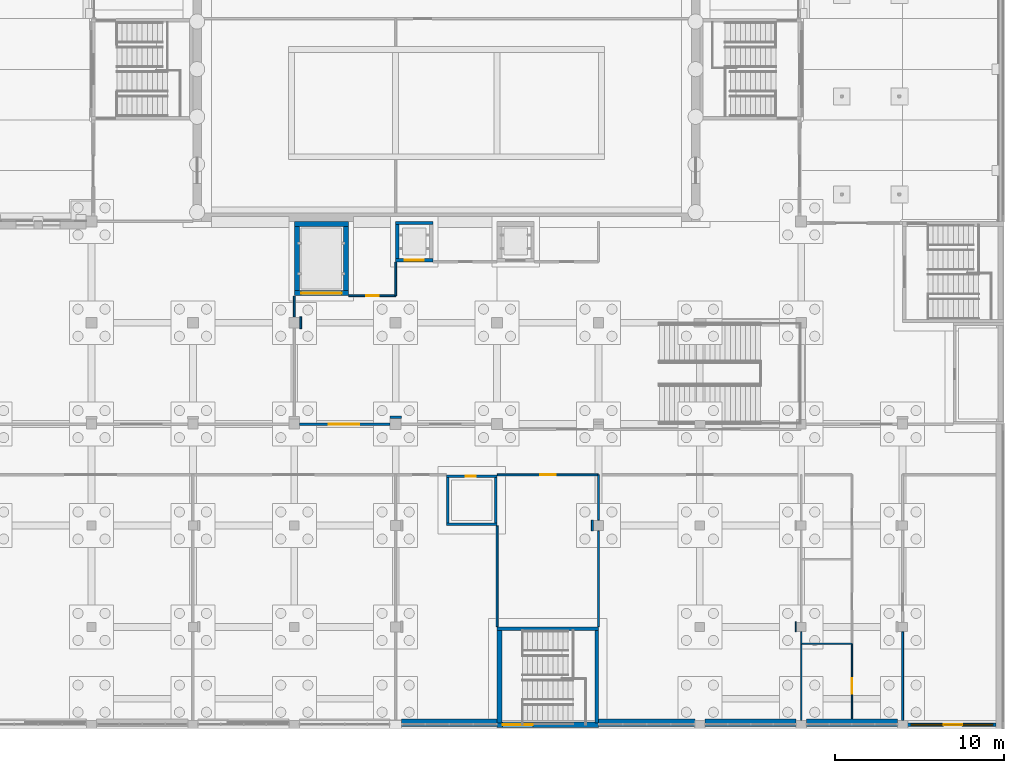
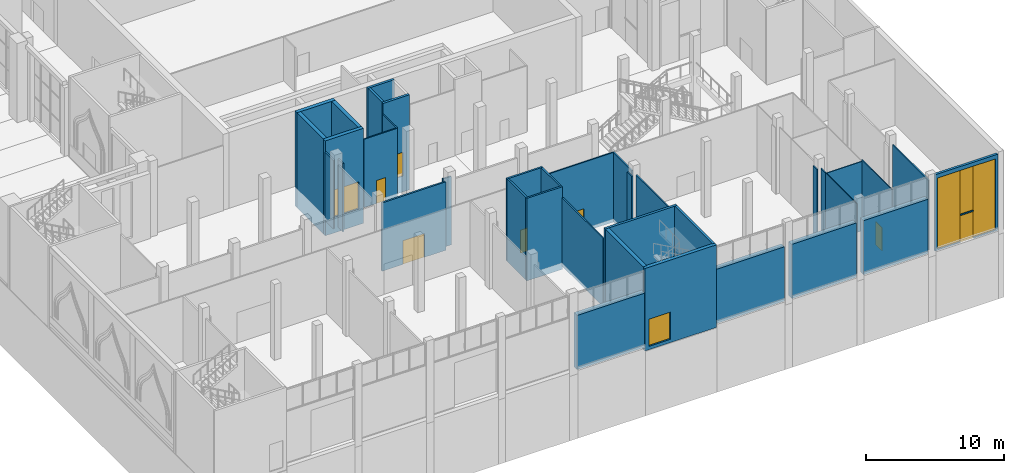
# One storey, part 41 of 95: 37 walls, 9 doors, 3 windows, 12 openings.
"""IFC4 building model written with IfcOpenShell, lengths in metres."""

from ifc_helpers import new_model, si_unit, direction, frame, frame_2d, origin, place, context, subcontext, project, spatial, rectangle, extrude, material, layer, layer_set, type_object, element, fill, save


model = new_model("IFC4")

# Units and contexts
model_context = context("Model", 3, precision=1e-05, world=origin(), true_north=direction((0.0, 1.0)))
body_context = subcontext(model_context, "Body", "Model", "MODEL_VIEW")
ifc_project = project(units=[si_unit("LENGTHUNIT", "METRE"), si_unit("AREAUNIT", "SQUARE_METRE"), si_unit("VOLUMEUNIT", "CUBIC_METRE"), si_unit("PLANEANGLEUNIT", "RADIAN"), si_unit("MASSUNIT", "GRAM", prefix="KILO")], contexts=[model_context])

# Site, building, storey
site_placement = place(None, origin())
site = spatial("IfcSite", under=ifc_project, at=site_placement, CompositionType="ELEMENT")
building_placement = place(site_placement, origin())
building = spatial("IfcBuilding", under=site, at=building_placement, Name="Saffron Lane Theatres", CompositionType="ELEMENT")
storey_placement = place(building_placement, origin())
storey = spatial("IfcBuildingStorey", under=building, at=storey_placement, Name="L00", CompositionType="ELEMENT", Elevation=0.0)

# Wall, openings, door, windows
ifc_material_1 = material(Name="Aluminium", Category="aluminium")
ifc_layer_1 = layer(ifc_material_1, 0.199951171875)
ifc_layer_set_1 = layer_set([ifc_layer_1], Name="Aluminium")
wall_type_1 = type_object("IfcWallType", Name="EX-SCREEN ALUMINIUM 200", PredefinedType="SOLIDWALL", material=ifc_layer_set_1)
wall_1_placement = place(storey_placement, frame((65.5400390625, 0.199951171875, 0.0), z_axis=(0.0, 0.0, 1.0), x_axis=(-1.0, 0.0, 0.0)))
wall_1 = element("IfcWall", 1, at=wall_1_placement, inside=storey, type_object=wall_type_1, Name="External wall L00 18", PredefinedType="SOLIDWALL", context=body_context, shape_type="SweptSolid", body=[
    extrude(rectangle(XDim=5.239990234375, YDim=0.199951171875, at=frame_2d((2.6201171875, 0.0))), origin(), (0.0, 0.0, 1.0), 6.75),
])
opening_1_placement = place(wall_1_placement, frame((2.02001953125, 0.0, 0.0)))
opening_1 = element("IfcOpeningElement", 2, at=opening_1_placement, cuts=wall_1, Name="Opening ED00-09", PredefinedType="OPENING", context=body_context, shape_type="SweptSolid", body=[
    extrude(rectangle(XDim=1.10009765625, YDim=2.39990234375, at=frame_2d((0.550048828125, 1.199951171875))), frame((0.0, 0.10986328125, 0.0), z_axis=(0.0, -1.0, 0.0), x_axis=(1.0, 0.0, 0.0)), (0.0, 0.0, 1.0), 0.219970703125),
])
opening_2_placement = place(wall_1_placement, frame((2.02001953125, 0.0, 2.5)))
opening_2 = element("IfcOpeningElement", 3, at=opening_2_placement, cuts=wall_1, Name="Opening WN00-025", PredefinedType="OPENING", context=body_context, shape_type="SweptSolid", body=[
    extrude(rectangle(XDim=1.10009765625, YDim=3.89990234375, at=frame_2d((0.550048828125, 1.949951171875))), frame((0.0, 0.10986328125, 0.0), z_axis=(0.0, -1.0, 0.0), x_axis=(1.0, 0.0, 0.0)), (0.0, 0.0, 1.0), 0.219970703125),
])
opening_3_placement = place(wall_1_placement, frame((0.199951171875, 0.0, 0.10009765625)))
opening_3 = element("IfcOpeningElement", 4, at=opening_3_placement, cuts=wall_1, Name="Opening WN00-026", PredefinedType="OPENING", context=body_context, shape_type="SweptSolid", body=[
    extrude(rectangle(XDim=1.820068359375, YDim=6.300048828125, at=frame_2d((0.91015625, 3.14990234375))), frame((0.0, 0.10986328125, 0.0), z_axis=(0.0, -1.0, 0.0), x_axis=(1.0, 0.0, 0.0)), (0.0, 0.0, 1.0), 0.219970703125),
])
opening_4_placement = place(wall_1_placement, frame((3.1201171875, 0.0, 0.10009765625)))
opening_4 = element("IfcOpeningElement", 5, at=opening_4_placement, cuts=wall_1, Name="Opening WN00-027", PredefinedType="OPENING", context=body_context, shape_type="SweptSolid", body=[
    extrude(rectangle(XDim=1.919921875, YDim=6.300048828125, at=frame_2d((0.9599609375, 3.14990234375))), frame((0.0, 0.10986328125, 0.0), z_axis=(0.0, -1.0, 0.0), x_axis=(1.0, 0.0, 0.0)), (0.0, 0.0, 1.0), 0.219970703125),
])
ifc_material_2 = material(Name="Aluminium and glass door leaf", Category="aluminium")
door_type_1 = type_object("IfcDoorType", Name="EX-DOOR 1100x2400", OperationType="NOTDEFINED", PredefinedType="DOOR", material=ifc_material_2)
door_1_placement = place(opening_1_placement, origin())
door_1 = element("IfcDoor", 6, at=door_1_placement, inside=storey, type_object=door_type_1, Name="Bicycle Store door", OperationType="SINGLE_SWING_RIGHT", OverallHeight=2.39990234375, OverallWidth=1.10009765625, PredefinedType="DOOR", context=body_context, shape_type="SweptSolid", body=[
    extrude(rectangle(XDim=1.10009765625, YDim=2.39990234375, at=frame_2d((0.550048828125, 1.199951171875))), frame((0.0, 0.02490234375, 0.0), z_axis=(0.0, -1.0, 0.0), x_axis=(1.0, 0.0, 0.0)), (0.0, 0.0, 1.0), 0.050048828125),
])
fill(opening_1, door_1)
ifc_material_3 = material(Name="Aluminium", Category="aluminium")
window_type_1 = type_object("IfcWindowType", Name="EX-WINDOW 1100x3900", PartitioningType="SINGLE_PANEL", PredefinedType="WINDOW", material=ifc_material_3)
window_1_placement = place(opening_2_placement, origin())
window_1 = element("IfcWindow", 7, at=window_1_placement, inside=storey, type_object=window_type_1, Name="Window L00 025", OverallHeight=3.89990234375, OverallWidth=1.10009765625, PartitioningType="SINGLE_PANEL", PredefinedType="WINDOW", context=body_context, shape_type="SweptSolid", body=[
    extrude(rectangle(XDim=1.10009765625, YDim=3.89990234375, at=frame_2d((0.550048828125, 1.949951171875))), frame((0.0, 0.030029296875, 0.0), z_axis=(0.0, -1.0, 0.0), x_axis=(1.0, 0.0, 0.0)), (0.0, 0.0, 1.0), 0.06005859375),
])
fill(opening_2, window_1)
ifc_material_4 = material(Name="Aluminium", Category="aluminium")
window_type_2 = type_object("IfcWindowType", Name="EX-WINDOW 1820x6300", PartitioningType="SINGLE_PANEL", PredefinedType="WINDOW", material=ifc_material_4)
window_2_placement = place(opening_3_placement, origin())
window_2 = element("IfcWindow", 8, at=window_2_placement, inside=storey, type_object=window_type_2, Name="Window L00 026", OverallHeight=6.300048828125, OverallWidth=1.820068359375, PartitioningType="SINGLE_PANEL", PredefinedType="WINDOW", context=body_context, shape_type="SweptSolid", body=[
    extrude(rectangle(XDim=1.820068359375, YDim=6.300048828125, at=frame_2d((0.91015625, 3.14990234375))), frame((0.0, 0.030029296875, 0.0), z_axis=(0.0, -1.0, 0.0), x_axis=(1.0, 0.0, 0.0)), (0.0, 0.0, 1.0), 0.06005859375),
])
fill(opening_3, window_2)
ifc_material_5 = material(Name="Aluminium", Category="aluminium")
window_type_3 = type_object("IfcWindowType", Name="EX-WINDOW 1920x6300", PartitioningType="SINGLE_PANEL", PredefinedType="WINDOW", material=ifc_material_5)
window_3_placement = place(opening_4_placement, origin())
window_3 = element("IfcWindow", 9, at=window_3_placement, inside=storey, type_object=window_type_3, Name="Window L00 027", OverallHeight=6.300048828125, OverallWidth=1.919921875, PartitioningType="SINGLE_PANEL", PredefinedType="WINDOW", context=body_context, shape_type="SweptSolid", body=[
    extrude(rectangle(XDim=1.919921875, YDim=6.300048828125, at=frame_2d((0.9599609375, 3.14990234375))), frame((0.0, 0.030029296875, 0.0), z_axis=(0.0, -1.0, 0.0), x_axis=(1.0, 0.0, 0.0)), (0.0, 0.0, 1.0), 0.06005859375),
])
fill(opening_4, window_3)

# Walls
ifc_material_6 = material(Name="Masonry pale clay brick", Category="masonry")
ifc_layer_2 = layer(ifc_material_6, 0.449951171875)
ifc_layer_set_2 = layer_set([ifc_layer_2], Name="Masonry pale clay brick")
wall_type_2 = type_object("IfcWallType", Name="EX-WALL BRICK 450", PredefinedType="SOLIDWALL", material=ifc_layer_set_2)
for number, where, z_axis, x_axis, name in (
    (10, (59.699951171875, 0.324951171875, 0.0), (0.0, 0.0, 1.0), (-1.0, 0.0, 0.0), "External wall L00 19"),
    (11, (53.699951171875, 0.324951171875, 0.0), (0.0, 0.0, 1.0), (-1.0, 0.0, 0.0), "External wall L00 20"),
):
    element("IfcWall", number, at=place(storey_placement, frame(where, z_axis=z_axis, x_axis=x_axis)), inside=storey, type_object=wall_type_2, Name=name, PredefinedType="SOLIDWALL", context=body_context, shape_type="SweptSolid", body=[
        extrude(rectangle(XDim=5.39990234375, YDim=0.449951171875, at=frame_2d((2.699951171875, 0.0))), origin(), (0.0, 0.0, 1.0), 4.800048828125),
    ])
wall_2_placement = place(storey_placement, frame((47.699951171875, 0.324951171875, 0.0), z_axis=(0.0, 0.0, 1.0), x_axis=(-1.0, 0.0, 0.0)))
element("IfcWall", 12, at=wall_2_placement, inside=storey, type_object=wall_type_2, Name="External wall L00 21", PredefinedType="SOLIDWALL", context=body_context, shape_type="SweptSolid", body=[
    extrude(rectangle(XDim=5.699951171875, YDim=0.449951171875, at=frame_2d((2.85009765625, 0.0))), origin(), (0.0, 0.0, 1.0), 4.800048828125),
])
wall_3_placement = place(storey_placement, frame((36.0, 0.324951171875, 0.0), z_axis=(0.0, 0.0, 1.0), x_axis=(-1.0, 0.0, 0.0)))
element("IfcWall", 13, at=wall_3_placement, inside=storey, type_object=wall_type_2, Name="External wall L00 22", PredefinedType="SOLIDWALL", context=body_context, shape_type="SweptSolid", body=[
    extrude(rectangle(XDim=5.64990234375, YDim=0.449951171875, at=frame_2d((2.824951171875, 0.0))), origin(), (0.0, 0.0, 1.0), 4.800048828125),
])
ifc_material_7 = material(Name="Masonry block partition", Category="masonry")
ifc_layer_3 = layer(ifc_material_7, 0.110107421875)
ifc_layer_set_3 = layer_set([ifc_layer_3], Name="Masonry block partition")
wall_type_3 = type_object("IfcWallType", Name="IN-BLOCK PARTITION 110", PredefinedType="PARTITIONING", material=ifc_layer_set_3)
wall_4_placement = place(storey_placement, frame((24.0, 24.344970703125, 0.0), z_axis=(0.0, 0.0, 1.0), x_axis=(0.0, 1.0, 0.0)))
element("IfcWall", 14, at=wall_4_placement, inside=storey, type_object=wall_type_3, Name="PW-L00-022", PredefinedType="PARTITIONING", context=body_context, shape_type="SweptSolid", body=[
    extrude(rectangle(XDim=1.235107421875, YDim=0.110107421875, at=frame_2d((0.61767578125, 0.0))), origin(), (0.0, 0.0, 1.0), 6.050048828125),
])
wall_5_placement = place(storey_placement, frame((24.385009765625, 23.655029296875, 0.0), z_axis=(0.0, 0.0, 1.0), x_axis=(0.0, 1.0, 0.0)))
element("IfcWall", 15, at=wall_5_placement, inside=storey, type_object=wall_type_3, Name="PW-L00-024", PredefinedType="PARTITIONING", context=body_context, shape_type="SweptSolid", body=[
    extrude(rectangle(XDim=0.68994140625, YDim=0.110107421875, at=frame_2d((0.344970703125, 0.0))), origin(), (0.0, 0.0, 1.0), 6.050048828125),
])

# Wall, opening, door
wall_6_placement = place(storey_placement, frame((27.219970703125, 25.60009765625, 0.0), z_axis=(0.0, 0.0, 1.0), x_axis=(1.0, 0.0, 0.0)))
wall_6 = element("IfcWall", 16, at=wall_6_placement, inside=storey, type_object=wall_type_3, Name="PW-L00-025", PredefinedType="PARTITIONING", context=body_context, shape_type="SweptSolid", body=[
    extrude(rectangle(XDim=2.780029296875, YDim=0.110107421875, at=frame_2d((1.39013671875, 0.0))), origin(), (0.0, 0.0, 1.0), 6.050048828125),
])
opening_5_placement = place(wall_6_placement, frame((1.030029296875, 0.0, 0.0)))
opening_5 = element("IfcOpeningElement", 17, at=opening_5_placement, cuts=wall_6, Name="Opening D00-52", PredefinedType="OPENING", context=body_context, shape_type="SweptSolid", body=[
    extrude(rectangle(XDim=0.75, YDim=2.0400390625, at=frame_2d((0.375, 1.02001953125))), frame((0.0, 0.06494140625, 0.0), z_axis=(0.0, -1.0, 0.0), x_axis=(1.0, 0.0, 0.0)), (0.0, 0.0, 1.0), 0.130126953125),
])
ifc_material_8 = material(Name="Steel faced fire door leaf", Category="steel")
door_type_2 = type_object("IfcDoorType", Name="IN-DOOR 750x2040 FD60", OperationType="NOTDEFINED", PredefinedType="DOOR", material=ifc_material_8)
door_2_placement = place(opening_5_placement, origin())
door_2 = element("IfcDoor", 18, at=door_2_placement, inside=storey, type_object=door_type_2, Name="D00-52", OperationType="SINGLE_SWING_RIGHT", OverallHeight=2.0400390625, OverallWidth=0.75, PredefinedType="DOOR", context=body_context, shape_type="SweptSolid", body=[
    extrude(rectangle(XDim=0.75, YDim=2.0400390625, at=frame_2d((0.375, 1.02001953125))), frame((0.0, 0.02490234375, 0.0), z_axis=(0.0, -1.0, 0.0), x_axis=(1.0, 0.0, 0.0)), (0.0, 0.0, 1.0), 0.050048828125),
])
fill(opening_5, door_2)

# Walls
wall_7_placement = place(storey_placement, frame((30.0, 25.60009765625, 0.0), z_axis=(0.0, 0.0, 1.0), x_axis=(0.0, 1.0, 0.0)))
element("IfcWall", 19, at=wall_7_placement, inside=storey, type_object=wall_type_3, Name="PW-L00-026", PredefinedType="PARTITIONING", context=body_context, shape_type="SweptSolid", body=[
    extrude(rectangle(XDim=1.97998046875, YDim=0.110107421875, at=frame_2d((0.989990234375, 0.0))), origin(), (0.0, 0.0, 1.0), 6.050048828125),
])
wall_8_placement = place(storey_placement, frame((36.0, 6.02001953125, 0.0), z_axis=(0.0, 0.0, 1.0), x_axis=(0.0, 1.0, 0.0)))
element("IfcWall", 20, at=wall_8_placement, inside=storey, type_object=wall_type_3, Name="PW-L00-034", PredefinedType="PARTITIONING", context=body_context, shape_type="SweptSolid", body=[
    extrude(rectangle(XDim=5.9599609375, YDim=0.110107421875, at=frame_2d((2.97998046875, 0.0))), origin(), (0.0, 0.0, 1.0), 6.050048828125),
])

# Wall, opening, door
wall_9_placement = place(storey_placement, frame((36.02001953125, 15.0, 0.0), z_axis=(0.0, 0.0, 1.0), x_axis=(1.0, 0.0, 0.0)))
wall_9 = element("IfcWall", 21, at=wall_9_placement, inside=storey, type_object=wall_type_3, Name="PW-L00-035", PredefinedType="PARTITIONING", context=body_context, shape_type="SweptSolid", body=[
    extrude(rectangle(XDim=5.97998046875, YDim=0.110107421875, at=frame_2d((2.989990234375, 0.0))), origin(), (0.0, 0.0, 1.0), 6.14990234375),
])
opening_6_placement = place(wall_9_placement, frame((2.530029296875, 0.0, 0.0)))
opening_6 = element("IfcOpeningElement", 22, at=opening_6_placement, cuts=wall_9, Name="Opening D00-25", PredefinedType="OPENING", context=body_context, shape_type="SweptSolid", body=[
    extrude(rectangle(XDim=0.919921875, YDim=2.0400390625, at=frame_2d((0.4599609375, 1.02001953125))), frame((0.0, 0.06494140625, 0.0), z_axis=(0.0, -1.0, 0.0), x_axis=(1.0, 0.0, 0.0)), (0.0, 0.0, 1.0), 0.130126953125),
])
ifc_material_9 = material(Name="Steel faced fire door leaf", Category="steel")
door_type_3 = type_object("IfcDoorType", Name="IN-DOOR 920x2040 FD60", OperationType="NOTDEFINED", PredefinedType="DOOR", material=ifc_material_9)
door_3_placement = place(opening_6_placement, frame((0.919921875, 0.0, 0.0), z_axis=(0.0, 0.0, 1.0), x_axis=(-1.0, 0.0, 0.0)))
door_3 = element("IfcDoor", 23, at=door_3_placement, inside=storey, type_object=door_type_3, Name="D00-25", OperationType="SINGLE_SWING_LEFT", OverallHeight=2.0400390625, OverallWidth=0.919921875, PredefinedType="DOOR", context=body_context, shape_type="SweptSolid", body=[
    extrude(rectangle(XDim=0.919921875, YDim=2.0400390625, at=frame_2d((0.4599609375, 1.02001953125))), frame((0.0, 0.02490234375, 0.0), z_axis=(0.0, -1.0, 0.0), x_axis=(1.0, 0.0, 0.0)), (0.0, 0.0, 1.0), 0.050048828125),
])
fill(opening_6, door_3)

# Walls
wall_10_placement = place(storey_placement, frame((42.0, 12.320068359375, 0.0), z_axis=(0.0, 0.0, 1.0), x_axis=(0.0, 1.0, 0.0)))
element("IfcWall", 24, at=wall_10_placement, inside=storey, type_object=wall_type_3, Name="PW-L00-038", PredefinedType="PARTITIONING", context=body_context, shape_type="SweptSolid", body=[
    extrude(rectangle(XDim=2.679931640625, YDim=0.110107421875, at=frame_2d((1.33984375, 0.0))), origin(), (0.0, 0.0, 1.0), 6.14990234375),
])
wall_11_placement = place(storey_placement, frame((42.0, 6.02001953125, 0.0), z_axis=(0.0, 0.0, 1.0), x_axis=(0.0, 1.0, 0.0)))
element("IfcWall", 25, at=wall_11_placement, inside=storey, type_object=wall_type_3, Name="PW-L00-039", PredefinedType="PARTITIONING", context=body_context, shape_type="SweptSolid", body=[
    extrude(rectangle(XDim=5.659912109375, YDim=0.110107421875, at=frame_2d((2.830078125, 0.0))), origin(), (0.0, 0.0, 1.0), 6.14990234375),
])
wall_12_placement = place(storey_placement, frame((41.639892578125, 11.679931640625, 0.0), z_axis=(0.0, 0.0, 1.0), x_axis=(0.0, 1.0, 0.0)))
element("IfcWall", 26, at=wall_12_placement, inside=storey, type_object=wall_type_3, Name="PW-L00-040", PredefinedType="PARTITIONING", context=body_context, shape_type="SweptSolid", body=[
    extrude(rectangle(XDim=0.64013671875, YDim=0.110107421875, at=frame_2d((0.320068359375, 0.0))), origin(), (0.0, 0.0, 1.0), 6.14990234375),
])
wall_13_placement = place(storey_placement, frame((60.0, 0.470458984375, 0.0), z_axis=(0.0, 0.0, 1.0), x_axis=(0.0, 1.0, 0.0)))
element("IfcWall", 27, at=wall_13_placement, inside=storey, type_object=wall_type_3, Name="PW-L00-050", PredefinedType="PARTITIONING", context=body_context, shape_type="SweptSolid", body=[
    extrude(rectangle(XDim=5.234619140625, YDim=0.110107421875, at=frame_2d((2.6171875, 0.0))), origin(), (0.0, 0.0, 1.0), 6.14990234375),
])

# Wall, opening, door
ifc_material_10 = material(Name="Masonry block partition", Category="masonry")
ifc_layer_4 = layer(ifc_material_10, 0.139892578125)
ifc_layer_set_4 = layer_set([ifc_layer_4], Name="Masonry block partition")
wall_type_4 = type_object("IfcWallType", Name="IN-BLOCK PARTITION 140", PredefinedType="PARTITIONING", material=ifc_layer_set_4)
wall_14_placement = place(storey_placement, frame((24.320068359375, 18.0, 0.0), z_axis=(0.0, 0.0, 1.0), x_axis=(1.0, 0.0, 0.0)))
wall_14 = element("IfcWall", 28, at=wall_14_placement, inside=storey, type_object=wall_type_4, Name="PW-L00-077", PredefinedType="PARTITIONING", context=body_context, shape_type="SweptSolid", body=[
    extrude(rectangle(XDim=5.3349609375, YDim=0.139892578125, at=frame_2d((2.66748046875, 0.0))), origin(), (0.0, 0.0, 1.0), 6.050048828125),
])
opening_7_placement = place(wall_14_placement, frame((1.72998046875, 0.0, 0.0)))
opening_7 = element("IfcOpeningElement", 29, at=opening_7_placement, cuts=wall_14, Name="Opening D00-60", PredefinedType="OPENING", context=body_context, shape_type="SweptSolid", body=[
    extrude(rectangle(XDim=1.800048828125, YDim=2.10009765625, at=frame_2d((0.89990234375, 1.050048828125))), frame((0.0, 0.080078125, 0.0), z_axis=(0.0, -1.0, 0.0), x_axis=(1.0, 0.0, 0.0)), (0.0, 0.0, 1.0), 0.159912109375),
])
ifc_material_11 = material(Name="Steel faced fire door leaf", Category="steel")
door_type_4 = type_object("IfcDoorType", Name="IN-DOOR 1800x2100 FD120", OperationType="DOUBLE_DOOR_SINGLE_SWING", PredefinedType="DOOR", material=ifc_material_11)
door_4_placement = place(opening_7_placement, origin())
door_4 = element("IfcDoor", 30, at=door_4_placement, inside=storey, type_object=door_type_4, Name="D00-60", OperationType="DOUBLE_DOOR_SINGLE_SWING", OverallHeight=2.10009765625, OverallWidth=1.800048828125, PredefinedType="DOOR", context=body_context, shape_type="SweptSolid", body=[
    extrude(rectangle(XDim=1.800048828125, YDim=2.10009765625, at=frame_2d((0.89990234375, 1.050048828125))), frame((0.0, 0.02490234375, 0.0), z_axis=(0.0, -1.0, 0.0), x_axis=(1.0, 0.0, 0.0)), (0.0, 0.0, 1.0), 0.050048828125),
])
fill(opening_7, door_4)

# Walls
wall_15_placement = place(storey_placement, frame((29.655029296875, 18.39990234375, 0.0), z_axis=(0.0, 0.0, 1.0), x_axis=(1.0, 0.0, 0.0)))
element("IfcWall", 31, at=wall_15_placement, inside=storey, type_object=wall_type_4, Name="PW-L00-083", PredefinedType="PARTITIONING", context=body_context, shape_type="SweptSolid", body=[
    extrude(rectangle(XDim=0.68994140625, YDim=0.139892578125, at=frame_2d((0.344970703125, 0.0))), origin(), (0.0, 0.0, 1.0), 6.050048828125),
])
ifc_material_12 = material(Name="Plasterboard on 70 mm steel studs", Category="steel")
ifc_layer_5 = layer(ifc_material_12, 0.070068359375)
ifc_layer_set_5 = layer_set([ifc_layer_5], Name="Plasterboard on 70 mm steel studs")
wall_type_5 = type_object("IfcWallType", Name="IN-STUD PARTITION 070", PredefinedType="PARTITIONING", material=ifc_layer_set_5)
wall_16_placement = place(storey_placement, frame((54.0, 0.470458984375, 0.0), z_axis=(0.0, 0.0, 1.0), x_axis=(0.0, 1.0, 0.0)))
element("IfcWall", 32, at=wall_16_placement, inside=storey, type_object=wall_type_5, Name="PW-L00-090", PredefinedType="PARTITIONING", context=body_context, shape_type="SweptSolid", body=[
    extrude(rectangle(XDim=4.529541015625, YDim=0.070068359375, at=frame_2d((2.2646484375, 0.0))), origin(), (0.0, 0.0, 1.0), 6.14990234375),
])
wall_17_placement = place(storey_placement, frame((54.0, 5.0, 0.0), z_axis=(0.0, 0.0, 1.0), x_axis=(1.0, 0.0, 0.0)))
element("IfcWall", 33, at=wall_17_placement, inside=storey, type_object=wall_type_5, Name="PW-L00-091", PredefinedType="PARTITIONING", context=body_context, shape_type="SweptSolid", body=[
    extrude(rectangle(XDim=3.0, YDim=0.070068359375, at=frame_2d((1.5, 0.0))), origin(), (0.0, 0.0, 1.0), 6.14990234375),
])
wall_18_placement = place(storey_placement, frame((54.0, 5.0, 0.0), z_axis=(0.0, 0.0, 1.0), x_axis=(0.0, 1.0, 0.0)))
element("IfcWall", 34, at=wall_18_placement, inside=storey, type_object=wall_type_5, Name="PW-L00-093", PredefinedType="PARTITIONING", context=body_context, shape_type="SweptSolid", body=[
    extrude(rectangle(XDim=0.705078125, YDim=0.070068359375, at=frame_2d((0.3525390625, 0.0))), origin(), (0.0, 0.0, 1.0), 6.14990234375),
])
wall_19_placement = place(storey_placement, frame((53.68505859375, 5.705078125, 0.0), z_axis=(0.0, 0.0, 1.0), x_axis=(0.0, 1.0, 0.0)))
element("IfcWall", 35, at=wall_19_placement, inside=storey, type_object=wall_type_5, Name="PW-L00-094", PredefinedType="PARTITIONING", context=body_context, shape_type="SweptSolid", body=[
    extrude(rectangle(XDim=0.58984375, YDim=0.070068359375, at=frame_2d((0.294921875, 0.0))), origin(), (0.0, 0.0, 1.0), 6.14990234375),
])

# Wall, opening, door
wall_20_placement = place(storey_placement, frame((57.0, 0.570068359375, 0.0), z_axis=(0.0, 0.0, 1.0), x_axis=(0.0, 1.0, 0.0)))
wall_20 = element("IfcWall", 36, at=wall_20_placement, inside=storey, type_object=wall_type_5, Name="PW-L00-099", PredefinedType="PARTITIONING", context=body_context, shape_type="SweptSolid", body=[
    extrude(rectangle(XDim=4.429931640625, YDim=0.070068359375, at=frame_2d((2.21484375, 0.0))), origin(), (0.0, 0.0, 1.0), 6.300048828125),
])
opening_8_placement = place(wall_20_placement, frame((1.47998046875, 0.0, 0.0)))
opening_8 = element("IfcOpeningElement", 37, at=opening_8_placement, cuts=wall_20, Name="Opening D00-27", PredefinedType="OPENING", context=body_context, shape_type="SweptSolid", body=[
    extrude(rectangle(XDim=0.919921875, YDim=2.0400390625, at=frame_2d((0.4599609375, 1.02001953125))), frame((0.0, 0.044921875, 0.0), z_axis=(0.0, -1.0, 0.0), x_axis=(1.0, 0.0, 0.0)), (0.0, 0.0, 1.0), 0.090087890625),
])
ifc_material_13 = material(Name="Timber door leaf", Category="wood")
door_type_5 = type_object("IfcDoorType", Name="IN-DOOR 920x2040", OperationType="NOTDEFINED", PredefinedType="DOOR", material=ifc_material_13)
door_5_placement = place(opening_8_placement, origin())
door_5 = element("IfcDoor", 38, at=door_5_placement, inside=storey, type_object=door_type_5, Name="D00-27", OperationType="SINGLE_SWING_RIGHT", OverallHeight=2.0400390625, OverallWidth=0.919921875, PredefinedType="DOOR", context=body_context, shape_type="SweptSolid", body=[
    extrude(rectangle(XDim=0.919921875, YDim=2.0400390625, at=frame_2d((0.4599609375, 1.02001953125))), frame((0.0, 0.02490234375, 0.0), z_axis=(0.0, -1.0, 0.0), x_axis=(1.0, 0.0, 0.0)), (0.0, 0.0, 1.0), 0.050048828125),
])
fill(opening_8, door_5)

ifc_material_14 = material(Name="Concrete N50 (50 MPa)", Category="concrete")
ifc_layer_6 = layer(ifc_material_14, 0.14990234375)
ifc_layer_set_6 = layer_set([ifc_layer_6], Name="Concrete N50 (50 MPa)")
wall_type_6 = type_object("IfcWallType", Name="RC-CORE 150", PredefinedType="SHEAR", material=ifc_layer_set_6)
wall_21_placement = place(storey_placement, frame((33.0, 14.925048828125, -0.300048828125), z_axis=(0.0, 0.0, 1.0), x_axis=(1.0, 0.0, 0.0)))
wall_21 = element("IfcWall", 39, at=wall_21_placement, inside=storey, type_object=wall_type_6, Name="W-R5-N-L00", PredefinedType="SHEAR", context=body_context, shape_type="SweptSolid", body=[
    extrude(rectangle(XDim=3.0, YDim=0.14990234375, at=frame_2d((1.5, 0.0))), origin(), (0.0, 0.0, 1.0), 7.300048828125),
])
opening_9_placement = place(wall_21_placement, frame((1.14990234375, 0.0, 0.300048828125)))
opening_9 = element("IfcOpeningElement", 40, at=opening_9_placement, cuts=wall_21, Name="Opening D00-55", PredefinedType="OPENING", context=body_context, shape_type="SweptSolid", body=[
    extrude(rectangle(XDim=0.60009765625, YDim=2.0400390625, at=frame_2d((0.300048828125, 1.02001953125))), frame((0.0, 0.0849609375, 0.0), z_axis=(0.0, -1.0, 0.0), x_axis=(1.0, 0.0, 0.0)), (0.0, 0.0, 1.0), 0.169921875),
])
ifc_material_15 = material(Name="Steel faced fire door leaf", Category="steel")
door_type_6 = type_object("IfcDoorType", Name="IN-DOOR 600x2040 FD120", OperationType="NOTDEFINED", PredefinedType="DOOR", material=ifc_material_15)
door_6_placement = place(opening_9_placement, frame((0.60009765625, 0.0, 0.0), z_axis=(0.0, 0.0, 1.0), x_axis=(-1.0, 0.0, 0.0)))
door_6 = element("IfcDoor", 41, at=door_6_placement, inside=storey, type_object=door_type_6, Name="D00-55", OperationType="SINGLE_SWING_LEFT", OverallHeight=2.0400390625, OverallWidth=0.60009765625, PredefinedType="DOOR", context=body_context, shape_type="SweptSolid", body=[
    extrude(rectangle(XDim=0.60009765625, YDim=2.0400390625, at=frame_2d((0.300048828125, 1.02001953125))), frame((0.0, 0.02490234375, 0.0), z_axis=(0.0, -1.0, 0.0), x_axis=(1.0, 0.0, 0.0)), (0.0, 0.0, 1.0), 0.050048828125),
])
fill(opening_9, door_6)

# Walls
wall_22_placement = place(storey_placement, frame((33.0, 12.074951171875, -0.300048828125), z_axis=(0.0, 0.0, 1.0), x_axis=(1.0, 0.0, 0.0)))
element("IfcWall", 42, at=wall_22_placement, inside=storey, type_object=wall_type_6, Name="W-R5-S-L00", PredefinedType="SHEAR", context=body_context, shape_type="SweptSolid", body=[
    extrude(rectangle(XDim=3.0, YDim=0.14990234375, at=frame_2d((1.5, 0.0))), origin(), (0.0, 0.0, 1.0), 7.300048828125),
])
for number, where, z_axis, x_axis, name in (
    (43, (33.074951171875, 12.14990234375, -0.300048828125), (0.0, 0.0, 1.0), (0.0, 1.0, 0.0), "W-R5-W-L00"),
    (44, (35.925048828125, 12.14990234375, -0.300048828125), (0.0, 0.0, 1.0), (0.0, 1.0, 0.0), "W-R5-E-L00"),
):
    element("IfcWall", number, at=place(storey_placement, frame(where, z_axis=z_axis, x_axis=x_axis)), inside=storey, type_object=wall_type_6, Name=name, PredefinedType="SHEAR", context=body_context, shape_type="SweptSolid", body=[
        extrude(rectangle(XDim=2.7001953125, YDim=0.14990234375, at=frame_2d((1.35009765625, 0.0))), origin(), (0.0, 0.0, 1.0), 7.300048828125),
    ])
ifc_material_16 = material(Name="Concrete N50 (50 MPa)", Category="concrete")
ifc_layer_7 = layer(ifc_material_16, 0.199951171875)
ifc_layer_set_7 = layer_set([ifc_layer_7], Name="Concrete N50 (50 MPa)")
wall_type_7 = type_object("IfcWallType", Name="RC-CORE 200", PredefinedType="SHEAR", material=ifc_layer_set_7)
wall_23_placement = place(storey_placement, frame((36.0, 5.89990234375, -0.300048828125), z_axis=(0.0, 0.0, 1.0), x_axis=(1.0, 0.0, 0.0)))
element("IfcWall", 45, at=wall_23_placement, inside=storey, type_object=wall_type_7, Name="W-ST9-N-L00", PredefinedType="SHEAR", context=body_context, shape_type="SweptSolid", body=[
    extrude(rectangle(XDim=6.0, YDim=0.199951171875, at=frame_2d((3.0, 0.0))), origin(), (0.0, 0.0, 1.0), 7.300048828125),
])
wall_24_placement = place(storey_placement, frame((41.89990234375, 0.300048828125, -0.300048828125), z_axis=(0.0, 0.0, 1.0), x_axis=(0.0, 1.0, 0.0)))
element("IfcWall", 46, at=wall_24_placement, inside=storey, type_object=wall_type_7, Name="W-ST9-E-L00", PredefinedType="SHEAR", context=body_context, shape_type="SweptSolid", body=[
    extrude(rectangle(XDim=5.5, YDim=0.199951171875, at=frame_2d((2.75, 0.0))), origin(), (0.0, 0.0, 1.0), 7.300048828125),
])
wall_25_placement = place(storey_placement, frame((30.0, 29.89990234375, -1.39990234375), z_axis=(0.0, 0.0, 1.0), x_axis=(1.0, 0.0, 0.0)))
element("IfcWall", 47, at=wall_25_placement, inside=storey, type_object=wall_type_7, Name="W-LC5-N-L00", PredefinedType="SHEAR", context=body_context, shape_type="SweptSolid", body=[
    extrude(rectangle(XDim=2.199951171875, YDim=0.199951171875, at=frame_2d((1.10009765625, 0.0))), origin(), (0.0, 0.0, 1.0), 8.39990234375),
])

# Wall, opening, door
wall_26_placement = place(storey_placement, frame((30.0, 27.699951171875, -1.39990234375), z_axis=(0.0, 0.0, 1.0), x_axis=(1.0, 0.0, 0.0)))
wall_26 = element("IfcWall", 48, at=wall_26_placement, inside=storey, type_object=wall_type_7, Name="W-LC5-S-L00", PredefinedType="SHEAR", context=body_context, shape_type="SweptSolid", body=[
    extrude(rectangle(XDim=2.199951171875, YDim=0.199951171875, at=frame_2d((1.10009765625, 0.0))), origin(), (0.0, 0.0, 1.0), 8.39990234375),
])
opening_10_placement = place(wall_26_placement, frame((0.550048828125, 0.0, 1.39990234375)))
opening_10 = element("IfcOpeningElement", 49, at=opening_10_placement, cuts=wall_26, Name="Opening LD17", PredefinedType="OPENING", context=body_context, shape_type="SweptSolid", body=[
    extrude(rectangle(XDim=1.10009765625, YDim=2.10009765625, at=frame_2d((0.550048828125, 1.050048828125))), frame((0.0, 0.10986328125, 0.0), z_axis=(0.0, -1.0, 0.0), x_axis=(1.0, 0.0, 0.0)), (0.0, 0.0, 1.0), 0.219970703125),
])
ifc_material_17 = material(Name="Stainless steel 316", Category="steel")
door_type_7 = type_object("IfcDoorType", Name="VC-LANDING DOOR 1100x2100", OperationType="DOUBLE_DOOR_SLIDING", PredefinedType="DOOR", material=ifc_material_17)
door_7_placement = place(opening_10_placement, origin())
door_7 = element("IfcDoor", 50, at=door_7_placement, inside=storey, type_object=door_type_7, Name="Landing doors LC5 L00", OperationType="DOUBLE_DOOR_SLIDING", OverallHeight=2.10009765625, OverallWidth=1.10009765625, PredefinedType="DOOR", context=body_context, shape_type="SweptSolid", body=[
    extrude(rectangle(XDim=1.10009765625, YDim=2.10009765625, at=frame_2d((0.550048828125, 1.050048828125))), frame((0.0, 0.02490234375, 0.0), z_axis=(0.0, -1.0, 0.0), x_axis=(1.0, 0.0, 0.0)), (0.0, 0.0, 1.0), 0.050048828125),
])
fill(opening_10, door_7)

# Walls
wall_27_placement = place(storey_placement, frame((30.10009765625, 27.800048828125, -1.39990234375), z_axis=(0.0, 0.0, 1.0), x_axis=(0.0, 1.0, 0.0)))
element("IfcWall", 51, at=wall_27_placement, inside=storey, type_object=wall_type_7, Name="W-LC5-W-L00", PredefinedType="SHEAR", context=body_context, shape_type="SweptSolid", body=[
    extrude(rectangle(XDim=2.0, YDim=0.199951171875, at=frame_2d((1.0, 0.0))), origin(), (0.0, 0.0, 1.0), 8.39990234375),
])
ifc_material_18 = material(Name="Concrete N50 (50 MPa)", Category="concrete")
ifc_layer_8 = layer(ifc_material_18, 0.300048828125)
ifc_layer_set_8 = layer_set([ifc_layer_8], Name="Concrete N50 (50 MPa)")
wall_type_8 = type_object("IfcWallType", Name="RC-CORE 300", PredefinedType="SHEAR", material=ifc_layer_set_8)
wall_28_placement = place(storey_placement, frame((36.14990234375, 0.300048828125, -0.300048828125), z_axis=(0.0, 0.0, 1.0), x_axis=(0.0, 1.0, 0.0)))
element("IfcWall", 52, at=wall_28_placement, inside=storey, type_object=wall_type_8, Name="W-ST9-W-L00", PredefinedType="SHEAR", context=body_context, shape_type="SweptSolid", body=[
    extrude(rectangle(XDim=5.5, YDim=0.300048828125, at=frame_2d((2.75, 0.0))), origin(), (0.0, 0.0, 1.0), 7.300048828125),
])
wall_29_placement = place(storey_placement, frame((24.0, 29.85009765625, -1.39990234375), z_axis=(0.0, 0.0, 1.0), x_axis=(1.0, 0.0, 0.0)))
element("IfcWall", 53, at=wall_29_placement, inside=storey, type_object=wall_type_8, Name="W-LG1-N-L00", PredefinedType="SHEAR", context=body_context, shape_type="SweptSolid", body=[
    extrude(rectangle(XDim=3.199951171875, YDim=0.300048828125, at=frame_2d((1.60009765625, 0.0))), origin(), (0.0, 0.0, 1.0), 8.39990234375),
])

# Wall, opening, door
wall_30_placement = place(storey_placement, frame((24.0, 25.75, -1.39990234375), z_axis=(0.0, 0.0, 1.0), x_axis=(1.0, 0.0, 0.0)))
wall_30 = element("IfcWall", 54, at=wall_30_placement, inside=storey, type_object=wall_type_8, Name="W-LG1-S-L00", PredefinedType="SHEAR", context=body_context, shape_type="SweptSolid", body=[
    extrude(rectangle(XDim=3.199951171875, YDim=0.300048828125, at=frame_2d((1.60009765625, 0.0))), origin(), (0.0, 0.0, 1.0), 8.39990234375),
])
opening_11_placement = place(wall_30_placement, frame((0.39990234375, 0.0, 1.39990234375)))
opening_11 = element("IfcOpeningElement", 55, at=opening_11_placement, cuts=wall_30, Name="Opening LD29", PredefinedType="OPENING", context=body_context, shape_type="SweptSolid", body=[
    extrude(rectangle(XDim=2.39990234375, YDim=2.39990234375, at=frame_2d((1.199951171875, 1.199951171875))), frame((0.0, 0.16015625, 0.0), z_axis=(0.0, -1.0, 0.0), x_axis=(1.0, 0.0, 0.0)), (0.0, 0.0, 1.0), 0.320068359375),
])
ifc_material_19 = material(Name="Stainless steel 316", Category="steel")
door_type_8 = type_object("IfcDoorType", Name="VC-LANDING DOOR 2400x2400", OperationType="DOUBLE_DOOR_SLIDING", PredefinedType="DOOR", material=ifc_material_19)
door_8_placement = place(opening_11_placement, origin())
door_8 = element("IfcDoor", 56, at=door_8_placement, inside=storey, type_object=door_type_8, Name="Landing doors LG1 L00", OperationType="DOUBLE_DOOR_SLIDING", OverallHeight=2.39990234375, OverallWidth=2.39990234375, PredefinedType="DOOR", context=body_context, shape_type="SweptSolid", body=[
    extrude(rectangle(XDim=2.39990234375, YDim=2.39990234375, at=frame_2d((1.199951171875, 1.199951171875))), frame((0.0, 0.02490234375, 0.0), z_axis=(0.0, -1.0, 0.0), x_axis=(1.0, 0.0, 0.0)), (0.0, 0.0, 1.0), 0.050048828125),
])
fill(opening_11, door_8)

# Walls
for number, where, z_axis, x_axis, name in (
    (57, (24.14990234375, 25.89990234375, -1.39990234375), (0.0, 0.0, 1.0), (0.0, 1.0, 0.0), "W-LG1-W-L00"),
    (58, (27.050048828125, 25.89990234375, -1.39990234375), (0.0, 0.0, 1.0), (0.0, 1.0, 0.0), "W-LG1-E-L00"),
):
    element("IfcWall", number, at=place(storey_placement, frame(where, z_axis=z_axis, x_axis=x_axis)), inside=storey, type_object=wall_type_8, Name=name, PredefinedType="SHEAR", context=body_context, shape_type="SweptSolid", body=[
        extrude(rectangle(XDim=3.800048828125, YDim=0.300048828125, at=frame_2d((1.89990234375, 0.0))), origin(), (0.0, 0.0, 1.0), 8.39990234375),
    ])

# Wall, opening, door
ifc_material_20 = material(Name="Concrete N50 (50 MPa)", Category="concrete")
ifc_layer_9 = layer(ifc_material_20, 0.300048828125)
ifc_layer_set_9 = layer_set([ifc_layer_9], Name="Concrete N50 (50 MPa)")
wall_type_9 = type_object("IfcWallType", Name="RC-CORE EXTERNAL 300", PredefinedType="SHEAR", material=ifc_layer_set_9)
wall_31_placement = place(storey_placement, frame((36.0, 0.2099609375, -0.300048828125), z_axis=(0.0, 0.0, 1.0), x_axis=(1.0, 0.0, 0.0)))
wall_31 = element("IfcWall", 59, at=wall_31_placement, inside=storey, type_object=wall_type_9, Name="W-ST9-S-L00", PredefinedType="SHEAR", context=body_context, shape_type="SweptSolid", body=[
    extrude(rectangle(XDim=6.0, YDim=0.300048828125, at=frame_2d((3.0, 0.0))), origin(), (0.0, 0.0, 1.0), 7.300048828125),
])
opening_12_placement = place(wall_31_placement, frame((0.324951171875, 0.0, 0.300048828125)))
opening_12 = element("IfcOpeningElement", 60, at=opening_12_placement, cuts=wall_31, Name="Opening EDST9", PredefinedType="OPENING", context=body_context, shape_type="SweptSolid", body=[
    extrude(rectangle(XDim=1.800048828125, YDim=2.39990234375, at=frame_2d((0.89990234375, 1.199951171875))), frame((0.0, 0.16015625, 0.0), z_axis=(0.0, -1.0, 0.0), x_axis=(1.0, 0.0, 0.0)), (0.0, 0.0, 1.0), 0.320068359375),
])
ifc_material_21 = material(Name="Steel faced fire door leaf", Category="steel")
door_type_9 = type_object("IfcDoorType", Name="EX-EXIT DOOR PAIR 1800x2400", OperationType="DOUBLE_DOOR_SINGLE_SWING", PredefinedType="DOOR", material=ifc_material_21)
door_9_placement = place(opening_12_placement, frame((1.800048828125, 0.0, 0.0), z_axis=(0.0, 0.0, 1.0), x_axis=(-1.0, 0.0, 0.0)))
door_9 = element("IfcDoor", 61, at=door_9_placement, inside=storey, type_object=door_type_9, Name="Exit door ST9", OperationType="DOUBLE_DOOR_SINGLE_SWING", OverallHeight=2.39990234375, OverallWidth=1.800048828125, PredefinedType="DOOR", context=body_context, shape_type="SweptSolid", body=[
    extrude(rectangle(XDim=1.800048828125, YDim=2.39990234375, at=frame_2d((0.89990234375, 1.199951171875))), frame((0.0, 0.02490234375, 0.0), z_axis=(0.0, -1.0, 0.0), x_axis=(1.0, 0.0, 0.0)), (0.0, 0.0, 1.0), 0.050048828125),
])
fill(opening_12, door_9)

save(model, "model.ifc")
